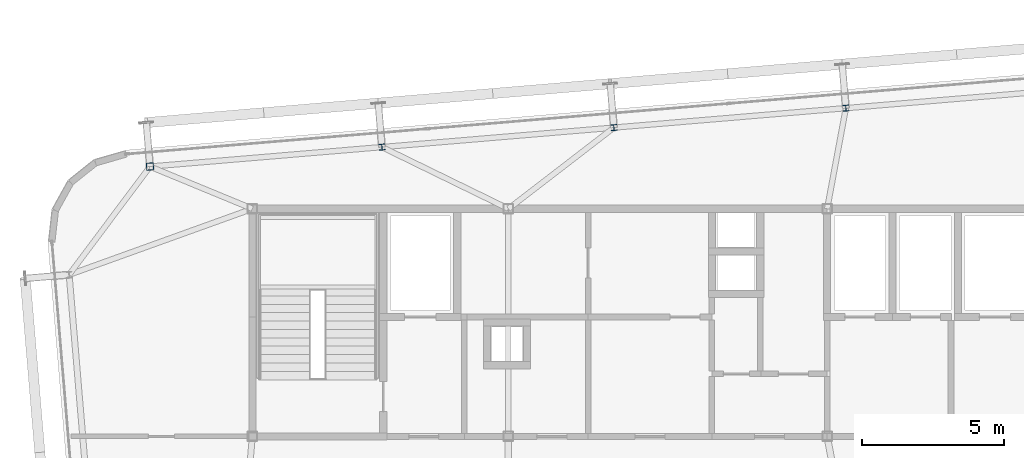
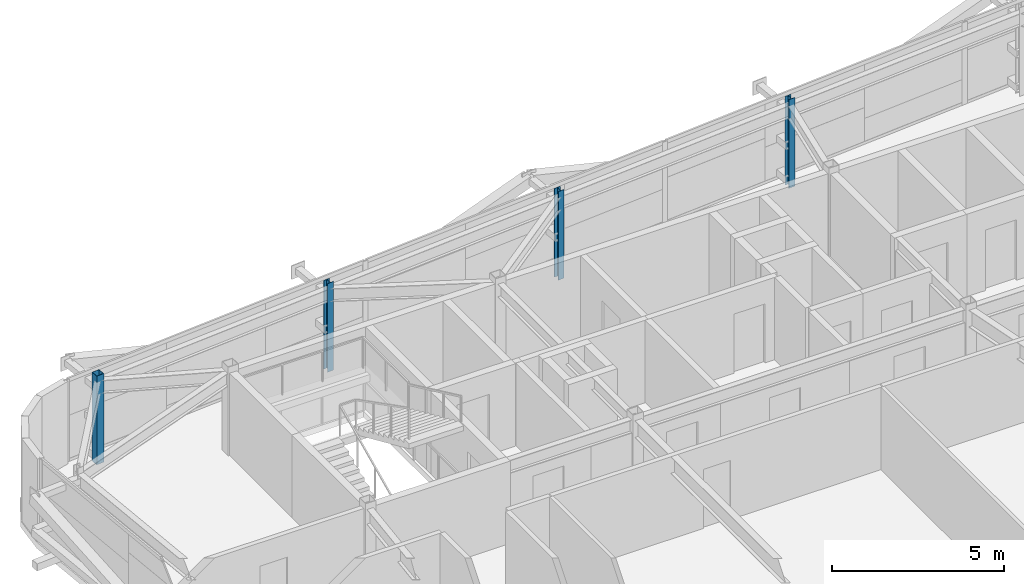
# One storey, part 5 of 37: 4 columns.
"""IFC4 building model written with IfcOpenShell, lengths in metres."""

from ifc_helpers import new_model, si_unit, direction, frame, origin, origin_2d, place, context, subcontext, project, spatial, hollow_rectangle, i_section, extrude, source, transform, mapped, material, material_profile, profile_set, type_object, element, save


model = new_model("IFC4")

# Units and contexts
model_context = context("Model", 3, precision=1e-05, world=origin(), true_north=direction((0.0, 1.0)))
body_context = subcontext(model_context, "Body", "Model", "MODEL_VIEW")
ifc_project = project(units=[si_unit("LENGTHUNIT", "METRE"), si_unit("AREAUNIT", "SQUARE_METRE"), si_unit("VOLUMEUNIT", "CUBIC_METRE"), si_unit("PLANEANGLEUNIT", "RADIAN"), si_unit("MASSUNIT", "GRAM", prefix="KILO")], contexts=[model_context])

# Site, building, storey
site_placement = place(None, origin())
site = spatial("IfcSite", under=ifc_project, at=site_placement, CompositionType="ELEMENT")
building_placement = place(site_placement, origin())
building = spatial("IfcBuilding", under=site, at=building_placement, Name="Taldren Reach Tower", CompositionType="ELEMENT")
storey_placement = place(building_placement, frame((0.0, 0.0, 200.89990234375)))
storey = spatial("IfcBuildingStorey", under=building, at=storey_placement, Name="L61", CompositionType="ELEMENT", Elevation=200.89990234375)

# Columns
ifc_material_1 = material(Name="Steel Gr 350 (C350L0)", Category="steel")
ifc_material_profile_1 = material_profile(ifc_material_1, hollow_rectangle(XDim=0.25, YDim=0.25, WallThickness=0.010009765625, at=origin_2d()), Name="250x250x10.0SHS")
ifc_profile_set_1 = profile_set([ifc_material_profile_1], Name="Steel Gr 350 (C350L0)")
column_type_1 = type_object("IfcColumnType", Name="COL-SHS250", PredefinedType="COLUMN", material=ifc_profile_set_1)
shared_shape_1 = source(origin(), body_context, "Body", "SweptSolid", [
    extrude(hollow_rectangle(XDim=0.25, YDim=0.25, WallThickness=0.010009765625, at=origin_2d()), origin(), (0.0, 0.0, 1.0), 3.150146484375),
])
column_placement = place(storey_placement, frame((15.40380859375, 33.483642578125, 0.0), z_axis=(0.0, 0.0, 1.0), x_axis=(0.99649285925, 0.083677843332, 0.0)))
element("IfcColumn", 1, at=column_placement, inside=storey, type_object=column_type_1, Name="Block B4 perimeter column N1 L61", PredefinedType="COLUMN", context=body_context, shape_type="MappedRepresentation", body=[
    mapped(shared_shape_1, transform((0.0, 0.0, 0.0), scale=1.0)),
])
ifc_material_2 = material(Name="Steel Gr 350 (350PLUS)", Category="steel")
ifc_material_profile_2 = material_profile(ifc_material_2, i_section(OverallWidth=0.205078125, OverallDepth=0.2099609375, WebThickness=0.00927734375, FlangeThickness=0.01416015625, at=origin_2d()), Name="200UC59.5")
ifc_profile_set_2 = profile_set([ifc_material_profile_2], Name="Steel Gr 350 (350PLUS)")
column_type_2 = type_object("IfcColumnType", Name="COL-UC200", PredefinedType="COLUMN", material=ifc_profile_set_2)
shared_shape_2 = source(origin(), body_context, "Body", "SweptSolid", [
    extrude(i_section(OverallWidth=0.205078125, OverallDepth=0.2099609375, WebThickness=0.00927734375, FlangeThickness=0.01416015625, at=origin_2d()), origin(), (0.0, 0.0, 1.0), 3.150146484375),
])
for number, where, z_axis, x_axis, name in (
    (2, (23.55517578125, 34.16796875, 0.0), (0.0, 0.0, 1.0), (0.99649285925, 0.083677843332, 0.0), "Block B4 perimeter column N2 L61"),
    (3, (31.706298828125, 34.8525390625, 0.0), (0.0, 0.0, 1.0), (0.99649285925, 0.083677843332, 0.0), "Block B4 perimeter column N3 L61"),
    (4, (39.857666015625, 35.537109375, 0.0), (0.0, 0.0, 1.0), (0.99649285925, 0.083677843332, 0.0), "Block B4 perimeter column N4 L61"),
):
    element("IfcColumn", number, at=place(storey_placement, frame(where, z_axis=z_axis, x_axis=x_axis)), inside=storey, type_object=column_type_2, Name=name, PredefinedType="COLUMN", context=body_context, shape_type="MappedRepresentation", body=[
        mapped(shared_shape_2, transform((0.0, 0.0, 0.0), scale=1.0)),
    ])

save(model, "model.ifc")
